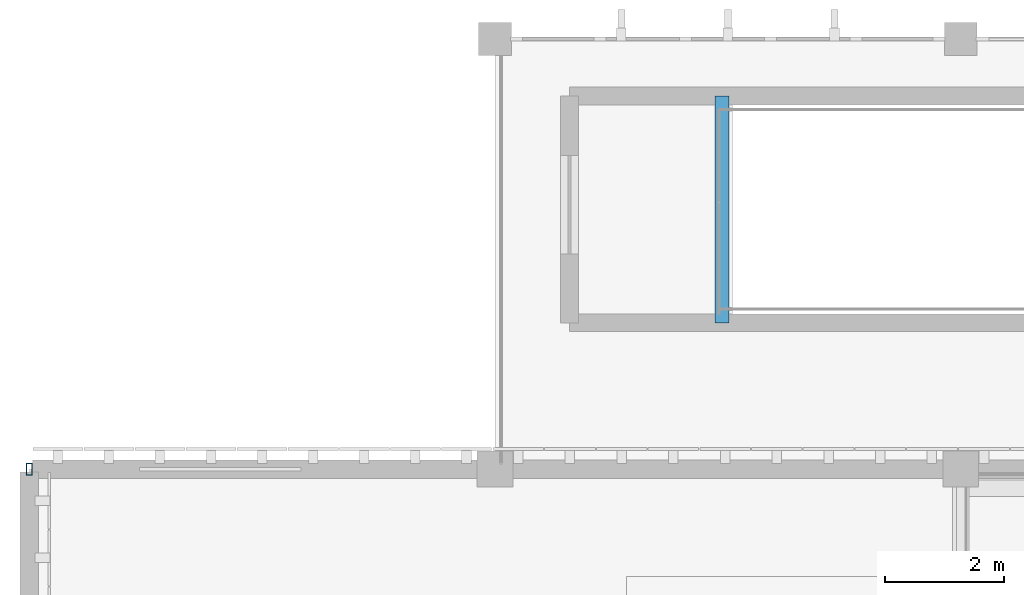
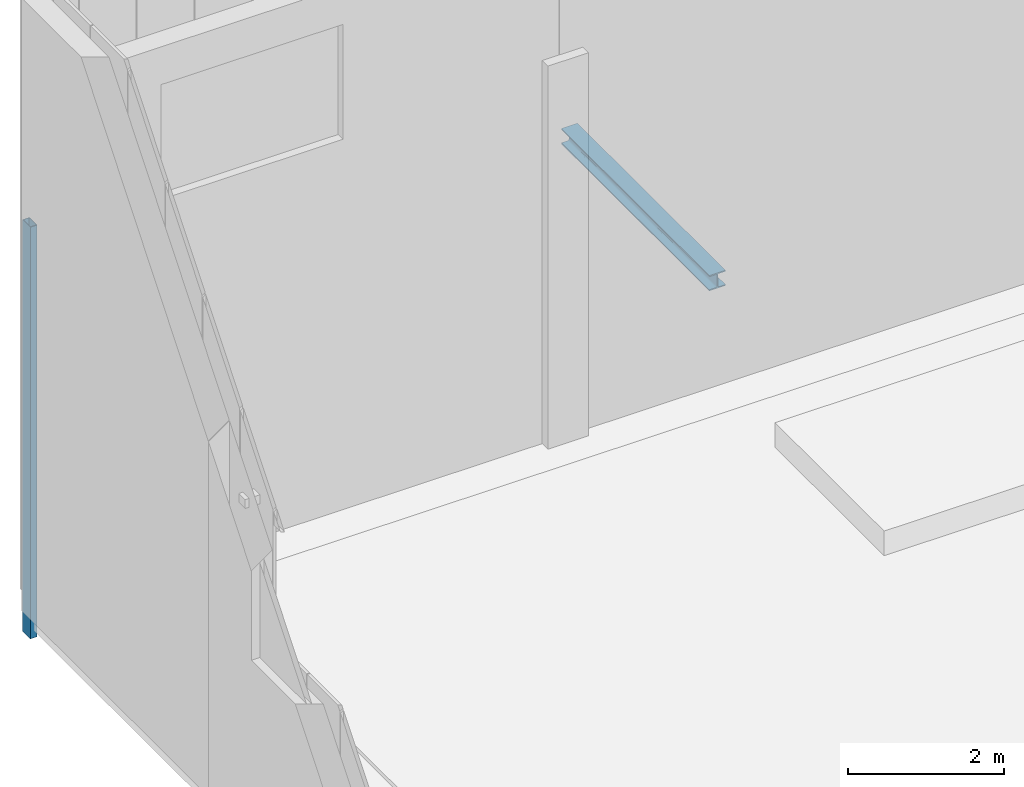
# One storey, part 30 of 105: 1 beam, 1 member.
"""IFC4 building model written with IfcOpenShell, lengths in metres."""

from ifc_helpers import new_model, si_unit, direction, frame, origin, origin_2d, place, context, subcontext, project, spatial, hollow_rectangle, i_section, extrude, material, material_profile, profile_set, type_object, element, save


model = new_model("IFC4")

# Units and contexts
model_context = context("Model", 3, precision=1e-05, world=origin(), true_north=direction((0.0, 1.0)))
body_context = subcontext(model_context, "Body", "Model", "MODEL_VIEW")
ifc_project = project(units=[si_unit("LENGTHUNIT", "METRE"), si_unit("AREAUNIT", "SQUARE_METRE"), si_unit("VOLUMEUNIT", "CUBIC_METRE"), si_unit("PLANEANGLEUNIT", "RADIAN"), si_unit("MASSUNIT", "GRAM", prefix="KILO")], contexts=[model_context])

# Site, building, storey
site_placement = place(None, origin())
site = spatial("IfcSite", under=ifc_project, at=site_placement, CompositionType="ELEMENT")
building_placement = place(site_placement, origin())
building = spatial("IfcBuilding", under=site, at=building_placement, Name="Tizgana Railside Sports Hall", CompositionType="ELEMENT")
storey_placement = place(building_placement, frame((0.0, 0.0, 6.0)))
storey = spatial("IfcBuildingStorey", under=building, at=storey_placement, Name="L01", CompositionType="ELEMENT", Elevation=6.0)

# Beam
ifc_material = material(Name="Steel S355J2", Category="steel")
ifc_material_profile_1 = material_profile(ifc_material, i_section(OverallWidth=0.239990234375, OverallDepth=0.239990234375, WebThickness=0.010009765625, FlangeThickness=0.01708984375, FilletRadius=0.02099609375, at=origin_2d()), Name="HEB 240")
ifc_profile_set_1 = profile_set([ifc_material_profile_1], Name="Steel S355J2")
beam_type = type_object("IfcBeamType", Name="Steel Beam HEB 240", PredefinedType="BEAM", material=ifc_profile_set_1)
beam_placement = place(storey_placement, frame((11.60009765625, 75.64990234375, -0.4619140625), z_axis=(0.0, 1.0, 0.0), x_axis=(-1.0, 0.0, 0.0)))
element("IfcBeam", 1, at=beam_placement, inside=storey, type_object=beam_type, Name="L01 C7 Landing Header", PredefinedType="BEAM", context=body_context, shape_type="SweptSolid", body=[
    extrude(i_section(OverallWidth=0.239990234375, OverallDepth=0.239990234375, WebThickness=0.010009765625, FlangeThickness=0.01708984375, FilletRadius=0.02099609375, at=origin_2d()), origin(), (0.0, 0.0, 1.0), 3.800048828125),
])

# Member
ifc_material_profile_2 = material_profile(ifc_material, hollow_rectangle(XDim=0.10009765625, YDim=0.199951171875, WallThickness=0.008056640625, at=origin_2d()), Name="RHS 200x100x8")
ifc_profile_set_2 = profile_set([ifc_material_profile_2], Name="Steel S355J2")
member_type = type_object("IfcMemberType", Name="Steel Brace RHS 200x100x8", PredefinedType="BRACE", material=ifc_profile_set_2)
member_placement = place(storey_placement, frame((0.0, 73.199951171875, -0.449951171875), z_axis=(0.0, 0.0, 1.0), x_axis=(1.0, 0.0, 0.0)))
element("IfcMember", 2, at=member_placement, inside=storey, type_object=member_type, Name="L01 Tip Post MEM-0003", PredefinedType="BRACE", context=body_context, shape_type="SweptSolid", body=[
    extrude(hollow_rectangle(XDim=0.10009765625, YDim=0.199951171875, WallThickness=0.008056640625, at=origin_2d()), origin(), (0.0, 0.0, 1.0), 6.449951171875),
])

save(model, "model.ifc")
